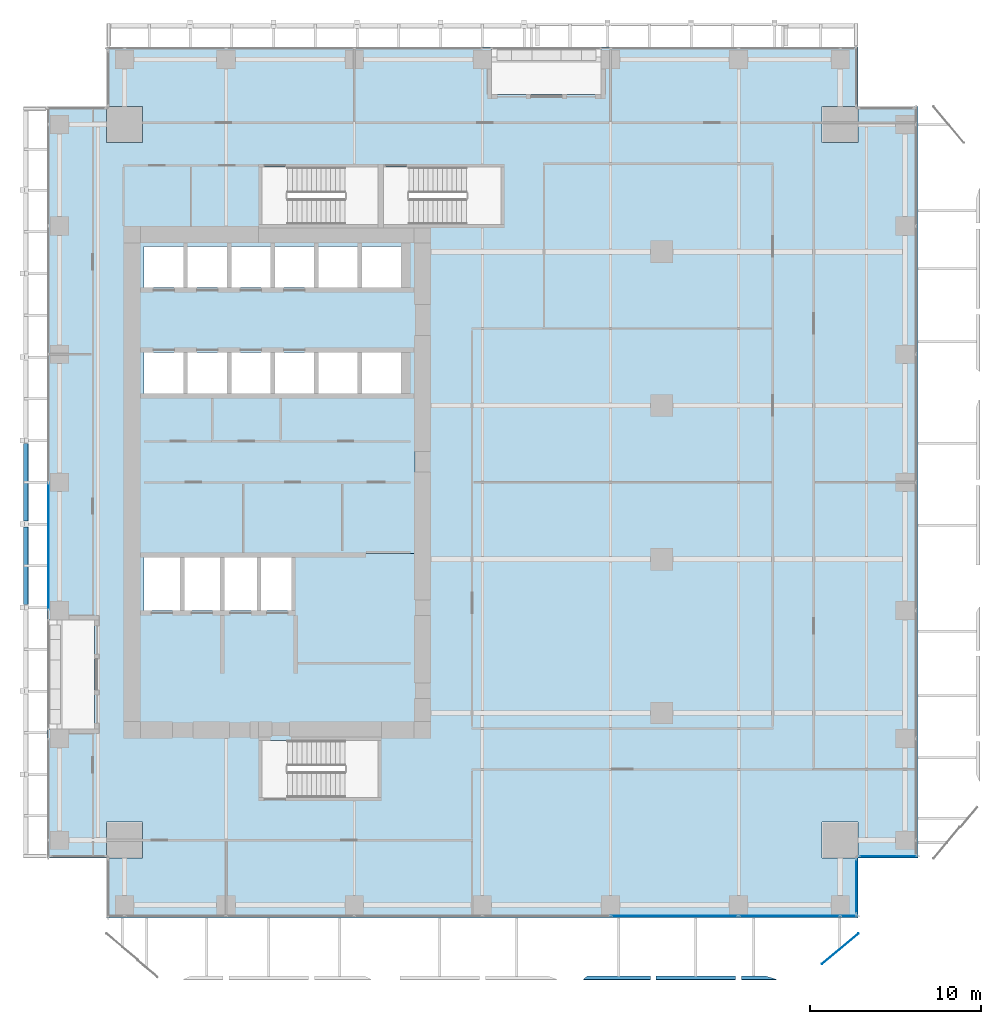
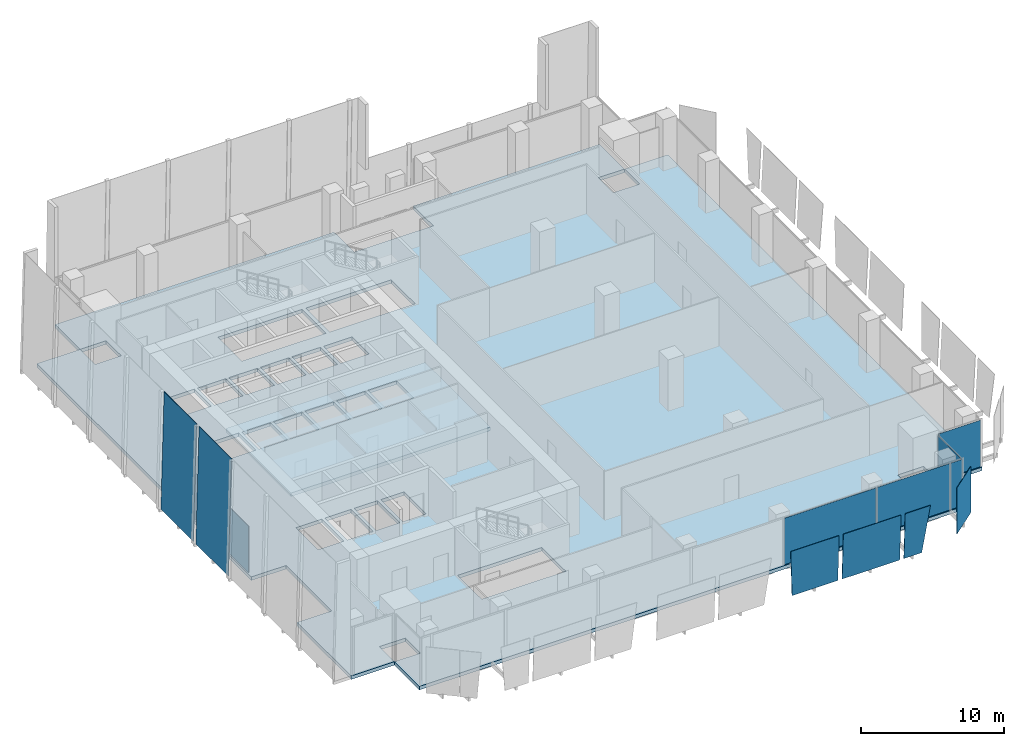
# One storey, part 24 of 34: 12 plates, 2 slabs, 4 elements without a shape of their own.
"""IFC4 building model written with IfcOpenShell, lengths in metres."""

from ifc_helpers import new_model, si_unit, direction, frame, origin, origin_2d, place, context, subcontext, project, spatial, polyline, rectangle, outline, extrude, source, transform, mapped, material, layer, layer_set, type_object, element, aggregate, save


model = new_model("IFC4")

# Units and contexts
model_context = context("Model", 3, precision=1e-05, world=origin(), true_north=direction((0.0, 1.0)))
body_context = subcontext(model_context, "Body", "Model", "MODEL_VIEW")
ifc_project = project(units=[si_unit("LENGTHUNIT", "METRE"), si_unit("AREAUNIT", "SQUARE_METRE"), si_unit("VOLUMEUNIT", "CUBIC_METRE"), si_unit("PLANEANGLEUNIT", "RADIAN"), si_unit("MASSUNIT", "GRAM", prefix="KILO")], contexts=[model_context])

# Site, building, storey
site_placement = place(None, origin())
site = spatial("IfcSite", under=ifc_project, at=site_placement, CompositionType="ELEMENT")
building_placement = place(site_placement, origin())
building = spatial("IfcBuilding", under=site, at=building_placement, Name="Khomas Fold Tower", CompositionType="ELEMENT")
storey_placement = place(building_placement, frame((0.0, 0.0, 154.300048828125)))
storey = spatial("IfcBuildingStorey", under=building, at=storey_placement, Name="L33", CompositionType="ELEMENT", Elevation=154.300048828125)

# Plates
ifc_material_1 = material(Name="Clear laminated glass", Category="glass")
ifc_layer_1 = layer(ifc_material_1, 0.0400390625)
ifc_layer_set_1 = layer_set([ifc_layer_1], Name="Clear laminated glass")
plate_type_1 = type_object("IfcPlateType", Name="SK-Clear laminated glass leaf", PredefinedType="SHEET", material=ifc_layer_set_1)
plate_1_placement = place(storey_placement, frame((33.130126953125, -1.90625, 0.0), z_axis=(0.0, 0.998875250252, 0.04741555054), x_axis=(-0.053328241105, -0.047348079963, 0.997453887668)))
element("IfcPlate", 1, at=plate_1_placement, inside=storey, type_object=plate_type_1, Name="OUTER SKIN glass L33 SG104-8", PredefinedType="SHEET", context=body_context, shape_type="SweptSolid", body=[
    extrude(outline(polyline([(0.0, 0.0), (3.9600338629276584, 0.0), (3.7514600293101377, 3.905567414978808), (-0.1973118881693835, 3.694686278027705), (0.0, 0.0)])), origin(), (0.0, 0.0, -1.0), 0.0400390625),
])
plate_2_placement = place(storey_placement, frame((37.169921875, -1.90625, 0.0), z_axis=(0.0, 0.998875250252, 0.04741555054), x_axis=(0.0, -0.04741555054, 0.998875250252)))
element("IfcPlate", 2, at=plate_2_placement, inside=storey, type_object=plate_type_1, Name="OUTER SKIN glass L33 SG105-9", PredefinedType="SHEET", context=body_context, shape_type="SweptSolid", body=[
    extrude(outline(polyline([(0.0, 0.0), (3.9543988810180344, 0.0), (3.9543988810180344, 4.66015625), (0.0, 4.66015625), (0.0, 0.0)])), origin(), (0.0, 0.0, -1.0), 0.0400390625),
])
plate_3_placement = place(storey_placement, frame((43.610107421875, -1.90625, 0.0), z_axis=(0.0, 0.998875250252, 0.04741555054), x_axis=(-1.0, 0.0, 0.0)))
element("IfcPlate", 3, at=plate_3_placement, inside=storey, type_object=plate_type_1, Name="OUTER SKIN glass L33 SG106-10", PredefinedType="SHEET", context=body_context, shape_type="SweptSolid", body=[
    extrude(outline(polyline([(0.0, 0.0), (1.440185546875, 0.0), (1.440185546875, 3.9543988810180344), (-0.60302734375, 3.9543988810180344), (0.0, 0.0)])), origin(), (0.0, 0.0, -1.0), 0.0400390625),
])
plate_4_placement = place(storey_placement, frame((46.8701171875, -1.175048828125, 0.0), z_axis=(-0.640236364148, 0.768177972883, 0.0), x_axis=(0.0, 0.0, 1.0)))
element("IfcPlate", 4, at=plate_4_placement, inside=storey, type_object=plate_type_1, Name="OUTER SKIN glass L33 SG107-11", PredefinedType="SHEET", context=body_context, shape_type="SweptSolid", body=[
    extrude(outline(polyline([(0.0, 0.0), (3.949951171875, 0.0), (3.949951171875, 2.7726423923708285), (0.0, 2.7726423923708285), (0.0, 0.0)])), origin(), (0.0, 0.0, -1.0), 0.0400390625),
])
for number, where, z_axis, x_axis, name in (
    (5, (0.142578125, 19.836669921875, 0.0009765625), (-0.999657457978, 0.0, 0.02617186867), (0.0, 1.0, 0.0), "OUTER SKIN glass L33 W7"),
    (6, (0.142578125, 24.7255859375, 0.0009765625), (-0.999657457978, 0.0, 0.02617186867), (0.0, 1.0, 0.0), "OUTER SKIN glass L33 W9"),
):
    element("IfcPlate", number, at=place(storey_placement, frame(where, z_axis=z_axis, x_axis=x_axis)), inside=storey, type_object=plate_type_1, Name=name, PredefinedType="SHEET", context=body_context, shape_type="SweptSolid", body=[
        extrude(outline(polyline([(0.0, 0.0), (4.548828125, 0.0), (4.548828125, -9.953360616149824), (0.0, -9.953360616149824), (0.0, 0.0)])), origin(), (0.0, 0.0, -1.0), 0.0400390625),
    ])

# Slabs
ifc_material_2 = material(Name="Concrete C40/50", Category="concrete")
ifc_layer_2 = layer(ifc_material_2, 0.300048828125)
ifc_layer_set_2 = layer_set([ifc_layer_2], Name="Concrete C40/50")
slab_type_1 = type_object("IfcSlabType", Name="RC floor slab 300", PredefinedType="FLOOR", material=ifc_layer_set_2)
shared_shape_1 = source(origin(), body_context, "Body", "SweptSolid", [
    extrude(outline(polyline([(1.5, 5.0), (4.9951171875, 5.0), (4.9951171875, 7.10498046875), (7.10498046875, 7.10498046875), (7.10498046875, 4.9951171875), (5.0, 4.9951171875), (5.0, 1.5), (49.0, 1.5), (49.0, 4.9951171875), (46.89501953125, 4.9951171875), (46.89501953125, 7.10498046875), (49.0048828125, 7.10498046875), (49.0048828125, 5.0), (52.5, 5.0), (52.5, 49.0), (49.0048828125, 49.0), (49.0048828125, 46.89501953125), (46.89501953125, 46.89501953125), (46.89501953125, 49.0048828125), (49.0, 49.0048828125), (49.0, 52.5), (33.949951171875, 52.5), (33.949951171875, 49.699951171875), (27.550048828125, 49.699951171875), (27.550048828125, 52.5), (5.0, 52.5), (5.0, 49.0048828125), (7.10498046875, 49.0048828125), (7.10498046875, 46.89501953125), (4.9951171875, 46.89501953125), (4.9951171875, 49.0), (1.5, 49.0), (1.5, 18.949951171875), (4.300048828125, 18.949951171875), (4.300048828125, 12.550048828125), (1.5, 12.550048828125), (1.5, 5.0)]), holes=[polyline([(7.199951171875, 19.5), (7.199951171875, 22.60009765625), (9.300048828125, 22.60009765625), (9.300048828125, 19.5), (7.199951171875, 19.5)]), polyline([(7.199951171875, 32.199951171875), (7.199951171875, 34.60009765625), (9.5, 34.60009765625), (9.5, 32.199951171875), (7.199951171875, 32.199951171875)]), polyline([(7.199951171875, 38.39990234375), (7.199951171875, 40.800048828125), (9.5, 40.800048828125), (9.5, 38.39990234375), (7.199951171875, 38.39990234375)]), polyline([(9.550048828125, 19.5), (9.550048828125, 22.60009765625), (11.64990234375, 22.60009765625), (11.64990234375, 19.5), (9.550048828125, 19.5)]), polyline([(9.75, 32.199951171875), (9.75, 34.60009765625), (12.050048828125, 34.60009765625), (12.050048828125, 32.199951171875), (9.75, 32.199951171875)]), polyline([(9.75, 38.39990234375), (9.75, 40.800048828125), (12.050048828125, 40.800048828125), (12.050048828125, 38.39990234375), (9.75, 38.39990234375)]), polyline([(11.89990234375, 19.5), (11.89990234375, 22.60009765625), (13.800048828125, 22.60009765625), (13.800048828125, 19.5), (11.89990234375, 19.5)]), polyline([(12.300048828125, 32.199951171875), (12.300048828125, 34.60009765625), (14.60009765625, 34.60009765625), (14.60009765625, 32.199951171875), (12.300048828125, 32.199951171875)]), polyline([(12.300048828125, 38.39990234375), (12.300048828125, 40.800048828125), (14.60009765625, 40.800048828125), (14.60009765625, 38.39990234375), (12.300048828125, 38.39990234375)]), polyline([(14.050048828125, 19.5), (14.050048828125, 22.60009765625), (15.949951171875, 22.60009765625), (15.949951171875, 19.5), (14.050048828125, 19.5)]), polyline([(14.10009765625, 8.550048828125), (14.10009765625, 11.89990234375), (20.89990234375, 11.89990234375), (20.89990234375, 8.550048828125), (14.10009765625, 8.550048828125)]), polyline([(14.10009765625, 42.10009765625), (14.10009765625, 45.449951171875), (20.89990234375, 45.449951171875), (20.89990234375, 42.10009765625), (14.10009765625, 42.10009765625)]), polyline([(14.85009765625, 32.199951171875), (14.85009765625, 34.60009765625), (17.14990234375, 34.60009765625), (17.14990234375, 32.199951171875), (14.85009765625, 32.199951171875)]), polyline([(14.85009765625, 38.39990234375), (14.85009765625, 40.800048828125), (17.14990234375, 40.800048828125), (17.14990234375, 38.39990234375), (14.85009765625, 38.39990234375)]), polyline([(17.39990234375, 32.199951171875), (17.39990234375, 34.60009765625), (19.699951171875, 34.60009765625), (19.699951171875, 32.199951171875), (17.39990234375, 32.199951171875)]), polyline([(17.39990234375, 38.39990234375), (17.39990234375, 40.800048828125), (19.699951171875, 40.800048828125), (19.699951171875, 38.39990234375), (17.39990234375, 38.39990234375)]), polyline([(19.949951171875, 32.199951171875), (19.949951171875, 34.60009765625), (22.25, 34.60009765625), (22.25, 32.199951171875), (19.949951171875, 32.199951171875)]), polyline([(19.949951171875, 38.39990234375), (19.949951171875, 40.800048828125), (22.25, 40.800048828125), (22.25, 38.39990234375), (19.949951171875, 38.39990234375)]), polyline([(21.199951171875, 42.10009765625), (21.199951171875, 45.449951171875), (28.10009765625, 45.449951171875), (28.10009765625, 42.10009765625), (21.199951171875, 42.10009765625)])]), origin(), (0.0, 0.0, 1.0), 0.300048828125),
])
slab_1_placement = place(storey_placement, frame((0.0, 0.0, -0.300048828125)))
element("IfcSlab", 7, at=slab_1_placement, inside=storey, type_object=slab_type_1, Name="S-L33", PredefinedType="FLOOR", context=body_context, shape_type="MappedRepresentation", body=[
    mapped(shared_shape_1, transform((0.0, 0.0, 0.0))),
])
ifc_material_3 = material(Name="Concrete C50/60", Category="concrete")
ifc_layer_3 = layer(ifc_material_3, 0.300048828125)
ifc_layer_set_3 = layer_set([ifc_layer_3], Name="Concrete C50/60")
slab_type_2 = type_object("IfcSlabType", Name="RC high-rise lift pit slab 300", PredefinedType="FLOOR", material=ifc_layer_set_3)
shared_shape_2 = source(origin(), body_context, "Body", "SweptSolid", [
    extrude(outline(polyline([(6.93994140625, 22.840087890625), (23.06005859375, 22.840087890625), (23.06005859375, 31.9599609375), (6.93994140625, 31.9599609375), (6.93994140625, 22.840087890625)])), origin(), (0.0, 0.0, 1.0), 0.300048828125),
])
slab_2_placement = place(storey_placement, frame((0.0, 0.0, 2.599853515625)))
element("IfcSlab", 8, at=slab_2_placement, inside=storey, type_object=slab_type_2, Name="Pit slab", PredefinedType="FLOOR", context=body_context, shape_type="MappedRepresentation", body=[
    mapped(shared_shape_2, transform((0.0, 0.0, 0.0))),
])

# Curtain wall, plates
ifc_material_4 = material(Name="Aluminium framed double glazing", Category="aluminium")
curtain_wall_type = type_object("IfcCurtainWallType", Name="SK-Unitised clear-glass wall, growing floors CW1", PredefinedType="NOTDEFINED", material=ifc_material_4)
curtain_wall_1_placement = place(storey_placement, origin())
curtain_wall_1 = element("IfcCurtainWall", 9, at=curtain_wall_1_placement, inside=storey, type_object=curtain_wall_type, Name="CW1 run L33 00-0", PredefinedType="NOTDEFINED")
ifc_material_5 = material(Name="Clear double glazed unit")
ifc_layer_4 = layer(ifc_material_5, 0.031982421875)
ifc_layer_set_4 = layer_set([ifc_layer_4], Name="Clear double glazed unit")
plate_type_2 = type_object("IfcPlateType", Name="SK-Unitised clear-glass wall, growing floors glass panel CW1-P", PredefinedType="CURTAIN_PANEL", material=ifc_layer_set_4)
shared_shape_3 = source(origin(), body_context, "Body", "SweptSolid", [
    extrude(rectangle(XDim=5.889892578125, YDim=0.031982421875, at=origin_2d()), origin(), (0.0, 0.0, 1.0), 3.97998046875),
])
plate_5_placement = place(storey_placement, frame((44.97509765625, 1.60009765625, 0.0), z_axis=(0.0, 0.0, 1.0), x_axis=(1.0, 0.0, 0.0)))
plate_5 = element("IfcPlate", 10, at=plate_5_placement, type_object=plate_type_2, Name="CW1 glass panel 7", PredefinedType="CURTAIN_PANEL", context=body_context, shape_type="MappedRepresentation", body=[
    mapped(shared_shape_3, transform((0.0, 0.0, 0.0))),
])
shared_shape_4 = source(origin(), body_context, "Body", "SweptSolid", [
    extrude(rectangle(XDim=7.43994140625, YDim=0.031982421875, at=origin_2d()), origin(), (0.0, 0.0, 1.0), 3.97998046875),
])
plate_6_placement = place(storey_placement, frame((38.25, 1.60009765625, 0.0), z_axis=(0.0, 0.0, 1.0), x_axis=(1.0, 0.0, 0.0)))
plate_6 = element("IfcPlate", 11, at=plate_6_placement, type_object=plate_type_2, Name="CW1 glass panel 6", PredefinedType="CURTAIN_PANEL", context=body_context, shape_type="MappedRepresentation", body=[
    mapped(shared_shape_4, transform((0.0, 0.0, 0.0))),
])

# Curtain wall, plate
curtain_wall_2_placement = place(storey_placement, origin())
curtain_wall_2 = element("IfcCurtainWall", 12, at=curtain_wall_2_placement, inside=storey, type_object=curtain_wall_type, Name="CW1 run L33 09-0", PredefinedType="NOTDEFINED")
plate_7_placement = place(storey_placement, frame((1.60009765625, 23.25, 0.0), z_axis=(0.0, 0.0, 1.0), x_axis=(0.0, -1.0, 0.0)))
plate_7 = element("IfcPlate", 13, at=plate_7_placement, type_object=plate_type_2, Name="CW1 glass panel 5", PredefinedType="CURTAIN_PANEL", context=body_context, shape_type="MappedRepresentation", body=[
    mapped(shared_shape_4, transform((0.0, 0.0, 0.0))),
])
aggregate(curtain_wall_2, [plate_7])

# Plate
shared_shape_5 = source(origin(), body_context, "Body", "SweptSolid", [
    extrude(rectangle(XDim=0.9599609375, YDim=0.031982421875, at=origin_2d()), origin(), (0.0, 0.0, 1.0), 3.97998046875),
])
plate_8_placement = place(storey_placement, frame((48.4599609375, 1.60009765625, 0.0), z_axis=(0.0, 0.0, 1.0), x_axis=(1.0, 0.0, 0.0)))
plate_8 = element("IfcPlate", 14, at=plate_8_placement, type_object=plate_type_2, Name="CW1 glass panel 8", PredefinedType="CURTAIN_PANEL", context=body_context, shape_type="MappedRepresentation", body=[
    mapped(shared_shape_5, transform((0.0, 0.0, 0.0))),
])

aggregate(curtain_wall_1, [plate_6, plate_5, plate_8])

# Curtain wall, plate
curtain_wall_3_placement = place(storey_placement, origin())
curtain_wall_3 = element("IfcCurtainWall", 15, at=curtain_wall_3_placement, inside=storey, type_object=curtain_wall_type, Name="CW1 corner return L33 01", PredefinedType="NOTDEFINED")
shared_shape_6 = source(origin(), body_context, "Body", "SweptSolid", [
    extrude(rectangle(XDim=3.179931640625, YDim=0.031982421875, at=origin_2d()), origin(), (0.0, 0.0, 1.0), 3.97998046875),
])
plate_9_placement = place(storey_placement, frame((48.89990234375, 3.35009765625, 0.0), z_axis=(0.0, 0.0, 1.0), x_axis=(0.0, 1.0, 0.0)))
plate_9 = element("IfcPlate", 16, at=plate_9_placement, type_object=plate_type_2, Name="CW1 glass panel 1", PredefinedType="CURTAIN_PANEL", context=body_context, shape_type="MappedRepresentation", body=[
    mapped(shared_shape_6, transform((0.0, 0.0, 0.0))),
])
aggregate(curtain_wall_3, [plate_9])

curtain_wall_4_placement = place(storey_placement, origin())
curtain_wall_4 = element("IfcCurtainWall", 17, at=curtain_wall_4_placement, inside=storey, type_object=curtain_wall_type, Name="CW1 corner return L33 02", PredefinedType="NOTDEFINED")
shared_shape_7 = source(origin(), body_context, "Body", "SweptSolid", [
    extrude(rectangle(XDim=3.3798828125, YDim=0.031982421875, at=origin_2d()), origin(), (0.0, 0.0, 1.0), 3.97998046875),
])
plate_10_placement = place(storey_placement, frame((50.75, 5.10009765625, 0.0), z_axis=(0.0, 0.0, 1.0), x_axis=(1.0, 0.0, 0.0)))
plate_10 = element("IfcPlate", 18, at=plate_10_placement, type_object=plate_type_2, Name="CW1 glass panel 1", PredefinedType="CURTAIN_PANEL", context=body_context, shape_type="MappedRepresentation", body=[
    mapped(shared_shape_7, transform((0.0, 0.0, 0.0))),
])
aggregate(curtain_wall_4, [plate_10])

save(model, "model.ifc")
